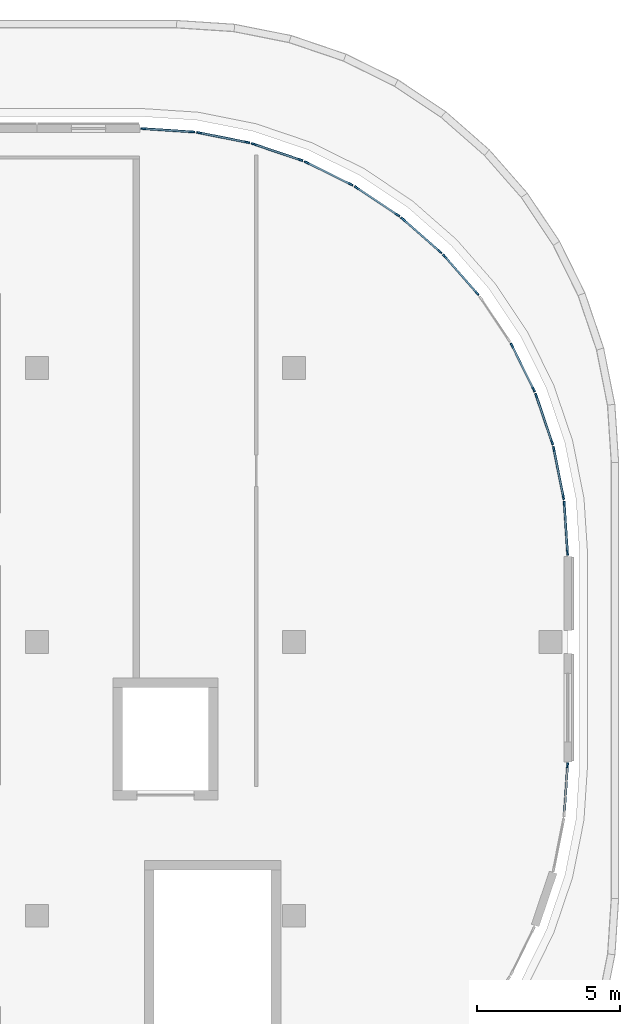
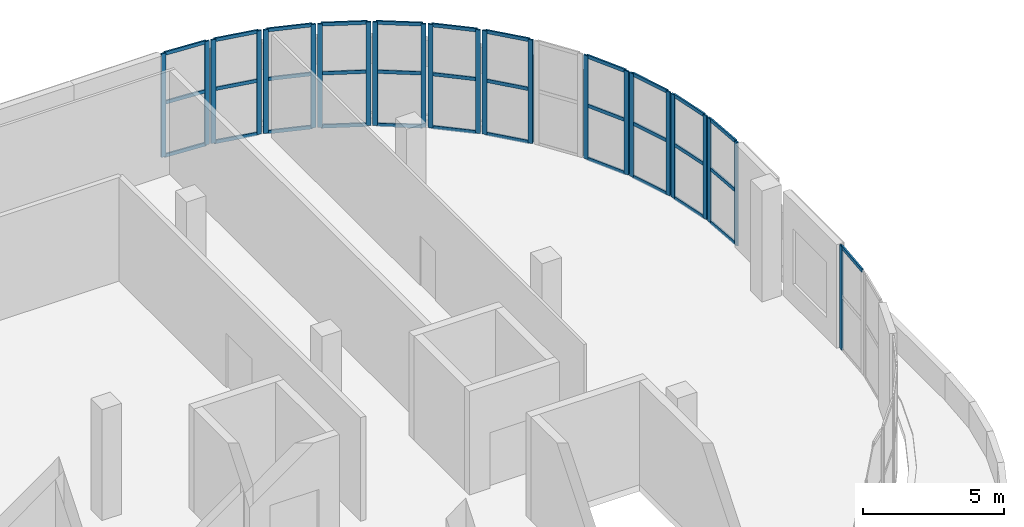
# One storey, part 15 of 33: 57 members, 12 elements without a shape of their own.
"""IFC4 building model written with IfcOpenShell, lengths in metres."""

import ifcopenshell
import ifcopenshell.guid

model = None  # the IFC model being written
_history = None  # IfcOwnerHistory: only IFC2X3 demands one
_inside = {}  # id of a spatial element -> (the spatial element, [elements in it])
_under = {}  # id of a project, library or spatial element -> (it, [spatial elements below it])
_declared = {}  # id of a project -> (the project, [libraries it declares])
_typed = {}  # id of a type object -> (the type object, [elements of that type])
_made_of = {}  # id of a material, layer set ... -> (it, [elements and type objects made of it])


def new_model(schema):
    """Start an empty IFC model of exactly this schema.

    Asked for "IFC4X3", IfcOpenShell would pick the latest addendum, in which some entities
    have other attributes; the version numbers below select the first issue.
    IFC2X3 requires an IfcOwnerHistory on every rooted entity: one is made here for all.
    """
    global model, _history
    if schema == "IFC4X3":
        model = ifcopenshell.file(schema_version=(4, 3, 0, 0))
    else:
        model = ifcopenshell.file(schema=schema)
    _inside.clear()
    _under.clear()
    _declared.clear()
    _typed.clear()
    _made_of.clear()
    _history = None
    if model.schema == "IFC2X3":
        org = make("IfcOrganization", Name="unknown")
        user = make(
            "IfcPersonAndOrganization",
            ThePerson=make("IfcPerson", FamilyName="unknown"),
            TheOrganization=org,
        )
        app = make(
            "IfcApplication",
            ApplicationDeveloper=org,
            Version="unknown",
            ApplicationFullName="unknown",
            ApplicationIdentifier="unknown",
        )
        _history = make(
            "IfcOwnerHistory",
            OwningUser=user,
            OwningApplication=app,
            ChangeAction="ADDED",
            CreationDate=0,
        )
    return model


def make(cls, **values):
    """One entity of the class cls with the attributes given. An attribute that is None is left unset."""
    return model.create_entity(
        cls, **{name: value for name, value in values.items() if value is not None}
    )


def rooted(cls, **values):
    """An entity with a GlobalId (a new one), such as an element, a storey or a relation."""
    return make(cls, GlobalId=ifcopenshell.guid.new(), OwnerHistory=_history, **values)


def si_unit(unit_type, name, prefix=None):
    """IfcSIUnit, for example si_unit("LENGTHUNIT", "METRE", prefix="MILLI")."""
    return make("IfcSIUnit", UnitType=unit_type, Prefix=prefix, Name=name)


def assignment(units):
    """IfcUnitAssignment: the units of a project."""
    return None if units is None else make("IfcUnitAssignment", Units=units)


def point(xyz):
    """IfcCartesianPoint."""
    return None if xyz is None else make("IfcCartesianPoint", Coordinates=xyz)


def direction(xyz):
    """IfcDirection."""
    return None if xyz is None else make("IfcDirection", DirectionRatios=xyz)


def frame(location, z_axis=None, x_axis=None):
    """IfcAxis2Placement3D, a coordinate frame: its origin and axes. An axis left out is left unset."""
    return make(
        "IfcAxis2Placement3D",
        Location=point(location),
        Axis=direction(z_axis),
        RefDirection=direction(x_axis),
    )


def frame_2d(location, x_axis=None):
    """IfcAxis2Placement2D, a coordinate frame in the plane: its origin and x axis."""
    return make(
        "IfcAxis2Placement2D", Location=point(location), RefDirection=direction(x_axis)
    )


def origin():
    """The frame at (0, 0, 0) with its axes left unset."""
    return frame((0.0, 0.0, 0.0))


def origin_2d():
    """The frame at (0, 0) in the plane with its x axis left unset."""
    return frame_2d((0.0, 0.0))


def place(relative_to, where):
    """IfcLocalPlacement: puts the frame where relative to a parent placement (None: the world)."""
    return make(
        "IfcLocalPlacement", PlacementRelTo=relative_to, RelativePlacement=where
    )


def context(
    kind, dimensions, precision=None, world=None, true_north=None, identifier=None
):
    """IfcGeometricRepresentationContext, for example the 3D "Model" context."""
    return make(
        "IfcGeometricRepresentationContext",
        ContextIdentifier=identifier,
        ContextType=kind,
        CoordinateSpaceDimension=dimensions,
        Precision=precision,
        WorldCoordinateSystem=world,
        TrueNorth=true_north,
    )


def subcontext(parent, identifier, kind, view, scale=None):
    """IfcGeometricRepresentationSubContext, for example "Body" below "Model"."""
    return make(
        "IfcGeometricRepresentationSubContext",
        ContextIdentifier=identifier,
        ContextType=kind,
        ParentContext=parent,
        TargetScale=scale,
        TargetView=view,
    )


def project(units=None, contexts=None):
    """IfcProject with its units and contexts."""
    return rooted(
        "IfcProject",
        Name="project",
        RepresentationContexts=contexts,
        UnitsInContext=assignment(units),
    )


def spatial(cls, under=None, at=None, **own):
    """A site, building, storey or space (cls), placed at a placement, below another one or the project."""
    s = rooted(cls, ObjectPlacement=at, **own)
    if under is not None:
        _under.setdefault(under.id(), (under, []))[1].append(s)
    return s


def profile(cls, at=None, kind="AREA", **sizes):
    """A parametric profile (cls). Its sizes go by their IFC names, for example OverallWidth=200.0."""
    return make(cls, ProfileType=kind, Position=at, **sizes)


def rectangle(**sizes):
    """IfcRectangleProfileDef."""
    return profile("IfcRectangleProfileDef", **sizes)


def extrude(swept, where, along, depth):
    """IfcExtrudedAreaSolid: the profile swept, set in the frame where, extruded along a direction by depth."""
    return make(
        "IfcExtrudedAreaSolid",
        SweptArea=swept,
        Position=where,
        ExtrudedDirection=direction(along),
        Depth=depth,
    )


def shape(context_of_items, identifier, shape_type, items):
    """IfcShapeRepresentation: the items that make up one representation, for example the "Body"."""
    return make(
        "IfcShapeRepresentation",
        ContextOfItems=context_of_items,
        RepresentationIdentifier=identifier,
        RepresentationType=shape_type,
        Items=items,
    )


def material(Name=None, Category=None):
    """IfcMaterial."""
    return make("IfcMaterial", Name=Name, Category=Category)


def layer(
    of_material, thickness, ventilated=None, Name=None, Category=None, Priority=None
):
    """IfcMaterialLayer: one layer of a wall or slab, of a material (None: an air gap)."""
    return make(
        "IfcMaterialLayer",
        Material=of_material,
        LayerThickness=thickness,
        IsVentilated=ventilated,
        Name=Name,
        Category=Category,
        Priority=Priority,
    )


def layer_set(layers, Name=None):
    """IfcMaterialLayerSet."""
    return make("IfcMaterialLayerSet", MaterialLayers=layers, LayerSetName=Name)


def material_profile(
    of_material, cross_section, Name=None, Category=None, Priority=None
):
    """IfcMaterialProfile: a cross section and its material."""
    return make(
        "IfcMaterialProfile",
        Name=Name,
        Material=of_material,
        Profile=cross_section,
        Priority=Priority,
        Category=Category,
    )


def profile_set(profiles, Name=None, composite=None):
    """IfcMaterialProfileSet."""
    return make(
        "IfcMaterialProfileSet",
        Name=Name,
        MaterialProfiles=profiles,
        CompositeProfile=composite,
    )


def made_of(thing, what):
    """Note that an element or type object is made of a material, layer set ...; save() writes the relation."""
    if what is not None:
        _made_of.setdefault(what.id(), (what, []))[1].append(thing)
    return thing


def type_object(cls, material=None, **own):
    """A type object (cls), such as IfcWallType, which elements share."""
    return made_of(rooted(cls, **own), material)


def element(
    cls,
    number,
    at=None,
    inside=None,
    cuts=None,
    type_object=None,
    material=None,
    context=None,
    identifier="Body",
    shape_type=None,
    held_by="IfcProductDefinitionShape",
    body=None,
    shapes=None,
    **own,
):
    """One element of the class cls, such as IfcWall. Its Tag is "e" and its number.

    at: its placement. inside: the storey or other place that contains it. cuts: it is an
    opening in that element (IfcRelVoidsElement). A single representation is given by context,
    identifier, shape_type and body (its items); several are given by shapes. held_by: the class
    of the entity that holds the representations. save() writes the other relations.
    """
    e = rooted(cls, Tag="e%d" % number, ObjectPlacement=at, **own)
    if body is not None:
        shapes = [shape(context, identifier, shape_type, body)]
    if shapes is not None:
        e.Representation = make(held_by, Representations=shapes)
    if inside is not None:
        _inside.setdefault(inside.id(), (inside, []))[1].append(e)
    if cuts is not None:
        rooted(
            "IfcRelVoidsElement", RelatingBuildingElement=cuts, RelatedOpeningElement=e
        )
    if type_object is not None:
        _typed.setdefault(type_object.id(), (type_object, []))[1].append(e)
    return made_of(e, material)


def aggregate(whole, parts):
    """IfcRelAggregates: a whole, such as a stair, and the parts it consists of."""
    return rooted("IfcRelAggregates", RelatingObject=whole, RelatedObjects=parts)


def save(model, path):
    """Write the relations noted so far, then the file.

    IfcRelAggregates (storeys below a building ...), IfcRelContainedInSpatialStructure (elements
    in a storey), IfcRelDefinesByType, IfcRelAssociatesMaterial and IfcRelDeclares: one each for
    every whole, place, type object, material and project.
    """
    for whole, parts in _under.values():
        aggregate(whole, parts)
    for where, things in _inside.values():
        rooted(
            "IfcRelContainedInSpatialStructure",
            RelatedElements=things,
            RelatingStructure=where,
        )
    for kind, things in _typed.values():
        rooted("IfcRelDefinesByType", RelatedObjects=things, RelatingType=kind)
    for what, things in _made_of.values():
        rooted("IfcRelAssociatesMaterial", RelatedObjects=things, RelatingMaterial=what)
    for by, libraries in _declared.values():
        rooted("IfcRelDeclares", RelatingContext=by, RelatedDefinitions=libraries)
    model.write(path)


model = new_model("IFC4")

# Units and contexts
model_context = context("Model", 3, precision=1e-05, world=origin(), true_north=direction((0.0, 1.0)))
body_context = subcontext(model_context, "Body", "Model", "MODEL_VIEW")
ifc_project = project(units=[si_unit("LENGTHUNIT", "METRE"), si_unit("AREAUNIT", "SQUARE_METRE"), si_unit("VOLUMEUNIT", "CUBIC_METRE"), si_unit("PLANEANGLEUNIT", "RADIAN"), si_unit("MASSUNIT", "GRAM", prefix="KILO")], contexts=[model_context])

# Site, building, storey
site_placement = place(None, origin())
site = spatial("IfcSite", under=ifc_project, at=site_placement, CompositionType="ELEMENT")
building_placement = place(site_placement, origin())
building = spatial("IfcBuilding", under=site, at=building_placement, Name="Cendralis Terraced Arcade", CompositionType="ELEMENT")
storey_placement = place(building_placement, frame((0.0, 0.0, 19.800048828125)))
storey = spatial("IfcBuildingStorey", under=building, at=storey_placement, Name="L04", CompositionType="ELEMENT", Elevation=19.800048828125)

# Curtain wall, members
ifc_material = material(Name="Anodised aluminium EN AW-6063 T6", Category="aluminium")
ifc_layer = layer(ifc_material, 0.179931640625, Name="CW-UNIT-A")
ifc_layer_set = layer_set([ifc_layer], Name="Anodised aluminium EN AW-6063 T6")
curtain_wall_type = type_object("IfcCurtainWallType", Name="CW-UNIT-A", PredefinedType="USERDEFINED", material=ifc_layer_set)
curtain_wall_1_placement = place(storey_placement, origin())
curtain_wall_1 = element("IfcCurtainWall", 1, at=curtain_wall_1_placement, inside=storey, type_object=curtain_wall_type, Name="Exterior Unitised Facade CW-L04-0314", ObjectType="UNITISED FACADE", PredefinedType="USERDEFINED")
ifc_material_profile_1 = material_profile(ifc_material, rectangle(XDim=0.06494140625, YDim=0.179931640625, at=origin_2d()), Name="ALU-MUL-65x180")
ifc_profile_set_1 = profile_set([ifc_material_profile_1], Name="Anodised aluminium EN AW-6063 T6")
member_type_1 = type_object("IfcMemberType", Name="CW-UNIT-A-MUL", PredefinedType="MULLION", material=ifc_profile_set_1)
member_1_placement = place(storey_placement, frame((151.922119140625, 106.7919921875, 0.0), z_axis=(0.0, 0.0, 1.0), x_axis=(0.065371873798, 0.997860971336, 0.0)))
member_1 = element("IfcMember", 2, at=member_1_placement, type_object=member_type_1, Name="CW-U1 mullion 1", PredefinedType="MULLION", context=body_context, shape_type="SweptSolid", body=[
    extrude(rectangle(XDim=0.06494140625, YDim=0.179931640625, at=origin_2d()), origin(), (0.0, 0.0, 1.0), 4.47998046875),
])
member_2_placement = place(storey_placement, frame((153.6357421875, 106.6796875, 0.0), z_axis=(0.0, 0.0, 1.0), x_axis=(0.065371873798, 0.997860971336, 0.0)))
member_2 = element("IfcMember", 3, at=member_2_placement, type_object=member_type_1, Name="CW-U1 mullion 2", PredefinedType="MULLION", context=body_context, shape_type="SweptSolid", body=[
    extrude(rectangle(XDim=0.06494140625, YDim=0.179931640625, at=origin_2d()), origin(), (0.0, 0.0, 1.0), 4.47998046875),
])

curtain_wall_2_placement = place(storey_placement, origin())
curtain_wall_2 = element("IfcCurtainWall", 4, at=curtain_wall_2_placement, inside=storey, type_object=curtain_wall_type, Name="Exterior Unitised Facade CW-L04-0315", ObjectType="UNITISED FACADE", PredefinedType="USERDEFINED")
member_3_placement = place(storey_placement, frame((153.878173828125, 106.647705078125, 0.0), z_axis=(0.0, 0.0, 1.0), x_axis=(0.195058454434, 0.980791618721, 0.0)))
member_3 = element("IfcMember", 5, at=member_3_placement, type_object=member_type_1, Name="CW-U1 mullion 1", PredefinedType="MULLION", context=body_context, shape_type="SweptSolid", body=[
    extrude(rectangle(XDim=0.06494140625, YDim=0.179931640625, at=origin_2d()), origin(), (0.0, 0.0, 1.0), 4.47998046875),
])
member_4_placement = place(storey_placement, frame((155.56201171875, 106.312744140625, 0.0), z_axis=(0.0, 0.0, 1.0), x_axis=(0.195058454434, 0.980791618721, 0.0)))
member_4 = element("IfcMember", 6, at=member_4_placement, type_object=member_type_1, Name="CW-U1 mullion 2", PredefinedType="MULLION", context=body_context, shape_type="SweptSolid", body=[
    extrude(rectangle(XDim=0.06494140625, YDim=0.179931640625, at=origin_2d()), origin(), (0.0, 0.0, 1.0), 4.47998046875),
])

curtain_wall_3_placement = place(storey_placement, origin())
curtain_wall_3 = element("IfcCurtainWall", 7, at=curtain_wall_3_placement, inside=storey, type_object=curtain_wall_type, Name="Exterior Unitised Facade CW-L04-0316", ObjectType="UNITISED FACADE", PredefinedType="USERDEFINED")
member_5_placement = place(storey_placement, frame((155.79833984375, 106.24951171875, 0.0), z_axis=(0.0, 0.0, 1.0), x_axis=(0.321458077458, 0.946923811316, 0.0)))
member_5 = element("IfcMember", 8, at=member_5_placement, type_object=member_type_1, Name="CW-U1 mullion 1", PredefinedType="MULLION", context=body_context, shape_type="SweptSolid", body=[
    extrude(rectangle(XDim=0.06494140625, YDim=0.179931640625, at=origin_2d()), origin(), (0.0, 0.0, 1.0), 4.47998046875),
])
member_6_placement = place(storey_placement, frame((157.42431640625, 105.697509765625, 0.0), z_axis=(0.0, 0.0, 1.0), x_axis=(0.321458077458, 0.946923811316, 0.0)))
member_6 = element("IfcMember", 9, at=member_6_placement, type_object=member_type_1, Name="CW-U1 mullion 2", PredefinedType="MULLION", context=body_context, shape_type="SweptSolid", body=[
    extrude(rectangle(XDim=0.06494140625, YDim=0.179931640625, at=origin_2d()), origin(), (0.0, 0.0, 1.0), 4.47998046875),
])

curtain_wall_4_placement = place(storey_placement, origin())
curtain_wall_4 = element("IfcCurtainWall", 10, at=curtain_wall_4_placement, inside=storey, type_object=curtain_wall_type, Name="Exterior Unitised Facade CW-L04-0317", ObjectType="UNITISED FACADE", PredefinedType="USERDEFINED")
member_7_placement = place(storey_placement, frame((157.650146484375, 105.60400390625, 0.0), z_axis=(0.0, 0.0, 1.0), x_axis=(0.442291247495, 0.896871480419, 0.0)))
member_7 = element("IfcMember", 11, at=member_7_placement, type_object=member_type_1, Name="CW-U1 mullion 1", PredefinedType="MULLION", context=body_context, shape_type="SweptSolid", body=[
    extrude(rectangle(XDim=0.06494140625, YDim=0.179931640625, at=origin_2d()), origin(), (0.0, 0.0, 1.0), 4.47998046875),
])
member_8_placement = place(storey_placement, frame((159.190185546875, 104.844482421875, 0.0), z_axis=(0.0, 0.0, 1.0), x_axis=(0.442291247495, 0.896871480419, 0.0)))
member_8 = element("IfcMember", 12, at=member_8_placement, type_object=member_type_1, Name="CW-U1 mullion 2", PredefinedType="MULLION", context=body_context, shape_type="SweptSolid", body=[
    extrude(rectangle(XDim=0.06494140625, YDim=0.179931640625, at=origin_2d()), origin(), (0.0, 0.0, 1.0), 4.47998046875),
])

curtain_wall_5_placement = place(storey_placement, origin())
curtain_wall_5 = element("IfcCurtainWall", 13, at=curtain_wall_5_placement, inside=storey, type_object=curtain_wall_type, Name="Exterior Unitised Facade CW-L04-0318", ObjectType="UNITISED FACADE", PredefinedType="USERDEFINED")
member_9_placement = place(storey_placement, frame((159.40185546875, 104.722412109375, 0.0), z_axis=(0.0, 0.0, 1.0), x_axis=(0.555567476528, 0.831471454125, 0.0)))
member_9 = element("IfcMember", 14, at=member_9_placement, type_object=member_type_1, Name="CW-U1 mullion 1", PredefinedType="MULLION", context=body_context, shape_type="SweptSolid", body=[
    extrude(rectangle(XDim=0.06494140625, YDim=0.179931640625, at=origin_2d()), origin(), (0.0, 0.0, 1.0), 4.47998046875),
])
member_10_placement = place(storey_placement, frame((160.82958984375, 103.768310546875, 0.0), z_axis=(0.0, 0.0, 1.0), x_axis=(0.555567476528, 0.831471454125, 0.0)))
member_10 = element("IfcMember", 15, at=member_10_placement, type_object=member_type_1, Name="CW-U1 mullion 2", PredefinedType="MULLION", context=body_context, shape_type="SweptSolid", body=[
    extrude(rectangle(XDim=0.06494140625, YDim=0.179931640625, at=origin_2d()), origin(), (0.0, 0.0, 1.0), 4.47998046875),
])

curtain_wall_6_placement = place(storey_placement, origin())
curtain_wall_6 = element("IfcCurtainWall", 16, at=curtain_wall_6_placement, inside=storey, type_object=curtain_wall_type, Name="Exterior Unitised Facade CW-L04-0319", ObjectType="UNITISED FACADE", PredefinedType="USERDEFINED")
member_11_placement = place(storey_placement, frame((161.0234375, 103.61962890625, 0.0), z_axis=(0.0, 0.0, 1.0), x_axis=(0.659386076266, 0.751804497477, 0.0)))
member_11 = element("IfcMember", 17, at=member_11_placement, type_object=member_type_1, Name="CW-U1 mullion 1", PredefinedType="MULLION", context=body_context, shape_type="SweptSolid", body=[
    extrude(rectangle(XDim=0.06494140625, YDim=0.179931640625, at=origin_2d()), origin(), (0.0, 0.0, 1.0), 4.47998046875),
])
member_12_placement = place(storey_placement, frame((162.314453125, 102.4873046875, 0.0), z_axis=(0.0, 0.0, 1.0), x_axis=(0.659386076266, 0.751804497477, 0.0)))
member_12 = element("IfcMember", 18, at=member_12_placement, type_object=member_type_1, Name="CW-U1 mullion 2", PredefinedType="MULLION", context=body_context, shape_type="SweptSolid", body=[
    extrude(rectangle(XDim=0.06494140625, YDim=0.179931640625, at=origin_2d()), origin(), (0.0, 0.0, 1.0), 4.47998046875),
])

curtain_wall_7_placement = place(storey_placement, origin())
curtain_wall_7 = element("IfcCurtainWall", 19, at=curtain_wall_7_placement, inside=storey, type_object=curtain_wall_type, Name="Exterior Unitised Facade CW-L04-0320", ObjectType="UNITISED FACADE", PredefinedType="USERDEFINED")
member_13_placement = place(storey_placement, frame((162.4873046875, 102.314453125, 0.0), z_axis=(0.0, 0.0, 1.0), x_axis=(0.751804497477, 0.659386076266, 0.0)))
member_13 = element("IfcMember", 20, at=member_13_placement, type_object=member_type_1, Name="CW-U1 mullion 1", PredefinedType="MULLION", context=body_context, shape_type="SweptSolid", body=[
    extrude(rectangle(XDim=0.06494140625, YDim=0.179931640625, at=origin_2d()), origin(), (0.0, 0.0, 1.0), 4.47998046875),
])
member_14_placement = place(storey_placement, frame((163.61962890625, 101.0234375, 0.0), z_axis=(0.0, 0.0, 1.0), x_axis=(0.751804497477, 0.659386076266, 0.0)))
member_14 = element("IfcMember", 21, at=member_14_placement, type_object=member_type_1, Name="CW-U1 mullion 2", PredefinedType="MULLION", context=body_context, shape_type="SweptSolid", body=[
    extrude(rectangle(XDim=0.06494140625, YDim=0.179931640625, at=origin_2d()), origin(), (0.0, 0.0, 1.0), 4.47998046875),
])

curtain_wall_8_placement = place(storey_placement, origin())
curtain_wall_8 = element("IfcCurtainWall", 22, at=curtain_wall_8_placement, inside=storey, type_object=curtain_wall_type, Name="Exterior Unitised Facade CW-L04-0322", ObjectType="UNITISED FACADE", PredefinedType="USERDEFINED")
member_15_placement = place(storey_placement, frame((164.844482421875, 99.190185546875, 0.0), z_axis=(0.0, 0.0, 1.0), x_axis=(0.896871480419, 0.442291247495, 0.0)))
member_15 = element("IfcMember", 23, at=member_15_placement, type_object=member_type_1, Name="CW-U1 mullion 1", PredefinedType="MULLION", context=body_context, shape_type="SweptSolid", body=[
    extrude(rectangle(XDim=0.06494140625, YDim=0.179931640625, at=origin_2d()), origin(), (0.0, 0.0, 1.0), 4.47998046875),
])
member_16_placement = place(storey_placement, frame((165.60400390625, 97.650146484375, 0.0), z_axis=(0.0, 0.0, 1.0), x_axis=(0.896871480419, 0.442291247495, 0.0)))
member_16 = element("IfcMember", 24, at=member_16_placement, type_object=member_type_1, Name="CW-U1 mullion 2", PredefinedType="MULLION", context=body_context, shape_type="SweptSolid", body=[
    extrude(rectangle(XDim=0.06494140625, YDim=0.179931640625, at=origin_2d()), origin(), (0.0, 0.0, 1.0), 4.47998046875),
])

curtain_wall_9_placement = place(storey_placement, origin())
curtain_wall_9 = element("IfcCurtainWall", 25, at=curtain_wall_9_placement, inside=storey, type_object=curtain_wall_type, Name="Exterior Unitised Facade CW-L04-0323", ObjectType="UNITISED FACADE", PredefinedType="USERDEFINED")
member_17_placement = place(storey_placement, frame((165.697509765625, 97.42431640625, 0.0), z_axis=(0.0, 0.0, 1.0), x_axis=(0.946923811316, 0.321458077458, 0.0)))
member_17 = element("IfcMember", 26, at=member_17_placement, type_object=member_type_1, Name="CW-U1 mullion 1", PredefinedType="MULLION", context=body_context, shape_type="SweptSolid", body=[
    extrude(rectangle(XDim=0.06494140625, YDim=0.179931640625, at=origin_2d()), origin(), (0.0, 0.0, 1.0), 4.47998046875),
])
member_18_placement = place(storey_placement, frame((166.24951171875, 95.79833984375, 0.0), z_axis=(0.0, 0.0, 1.0), x_axis=(0.946923811316, 0.321458077458, 0.0)))
member_18 = element("IfcMember", 27, at=member_18_placement, type_object=member_type_1, Name="CW-U1 mullion 2", PredefinedType="MULLION", context=body_context, shape_type="SweptSolid", body=[
    extrude(rectangle(XDim=0.06494140625, YDim=0.179931640625, at=origin_2d()), origin(), (0.0, 0.0, 1.0), 4.47998046875),
])

curtain_wall_10_placement = place(storey_placement, origin())
curtain_wall_10 = element("IfcCurtainWall", 28, at=curtain_wall_10_placement, inside=storey, type_object=curtain_wall_type, Name="Exterior Unitised Facade CW-L04-0324", ObjectType="UNITISED FACADE", PredefinedType="USERDEFINED")
member_19_placement = place(storey_placement, frame((166.312744140625, 95.56201171875, 0.0), z_axis=(0.0, 0.0, 1.0), x_axis=(0.980791618721, 0.195058454434, 0.0)))
member_19 = element("IfcMember", 29, at=member_19_placement, type_object=member_type_1, Name="CW-U1 mullion 1", PredefinedType="MULLION", context=body_context, shape_type="SweptSolid", body=[
    extrude(rectangle(XDim=0.06494140625, YDim=0.179931640625, at=origin_2d()), origin(), (0.0, 0.0, 1.0), 4.47998046875),
])
member_20_placement = place(storey_placement, frame((166.647705078125, 93.878173828125, 0.0), z_axis=(0.0, 0.0, 1.0), x_axis=(0.980791618721, 0.195058454434, 0.0)))
member_20 = element("IfcMember", 30, at=member_20_placement, type_object=member_type_1, Name="CW-U1 mullion 2", PredefinedType="MULLION", context=body_context, shape_type="SweptSolid", body=[
    extrude(rectangle(XDim=0.06494140625, YDim=0.179931640625, at=origin_2d()), origin(), (0.0, 0.0, 1.0), 4.47998046875),
])

curtain_wall_11_placement = place(storey_placement, origin())
curtain_wall_11 = element("IfcCurtainWall", 31, at=curtain_wall_11_placement, inside=storey, type_object=curtain_wall_type, Name="Exterior Unitised Facade CW-L04-0325", ObjectType="UNITISED FACADE", PredefinedType="USERDEFINED")
member_21_placement = place(storey_placement, frame((166.6796875, 93.6357421875, 0.0), z_axis=(0.0, 0.0, 1.0), x_axis=(0.997860971336, 0.065371873798, 0.0)))
member_21 = element("IfcMember", 32, at=member_21_placement, type_object=member_type_1, Name="CW-U1 mullion 1", PredefinedType="MULLION", context=body_context, shape_type="SweptSolid", body=[
    extrude(rectangle(XDim=0.06494140625, YDim=0.179931640625, at=origin_2d()), origin(), (0.0, 0.0, 1.0), 4.47998046875),
])
member_22_placement = place(storey_placement, frame((166.7919921875, 91.922119140625, 0.0), z_axis=(0.0, 0.0, 1.0), x_axis=(0.997860971336, 0.065371873798, 0.0)))
member_22 = element("IfcMember", 33, at=member_22_placement, type_object=member_type_1, Name="CW-U1 mullion 2", PredefinedType="MULLION", context=body_context, shape_type="SweptSolid", body=[
    extrude(rectangle(XDim=0.06494140625, YDim=0.179931640625, at=origin_2d()), origin(), (0.0, 0.0, 1.0), 4.47998046875),
])

# Curtain wall, member
curtain_wall_12_placement = place(storey_placement, origin())
curtain_wall_12 = element("IfcCurtainWall", 34, at=curtain_wall_12_placement, inside=storey, type_object=curtain_wall_type, Name="Exterior Unitised Facade CW-L04-0326", ObjectType="UNITISED FACADE", PredefinedType="USERDEFINED")
member_23_placement = place(storey_placement, frame((166.7919921875, 84.477783203125, 0.0), z_axis=(0.0, 0.0, 1.0), x_axis=(0.997860971336, -0.065371873798, 0.0)))
member_23 = element("IfcMember", 35, at=member_23_placement, type_object=member_type_1, Name="CW-U1 mullion 1", PredefinedType="MULLION", context=body_context, shape_type="SweptSolid", body=[
    extrude(rectangle(XDim=0.06494140625, YDim=0.179931640625, at=origin_2d()), origin(), (0.0, 0.0, 1.0), 4.47998046875),
])

# Member
ifc_material_profile_2 = material_profile(ifc_material, rectangle(XDim=0.06494140625, YDim=0.14990234375, at=origin_2d()), Name="ALU-TRN-65x150")
ifc_profile_set_2 = profile_set([ifc_material_profile_2], Name="Anodised aluminium EN AW-6063 T6")
member_type_2 = type_object("IfcMemberType", Name="CW-UNIT-A-TRN", PredefinedType="USERDEFINED", material=ifc_profile_set_2)
member_24_placement = place(storey_placement, frame((151.95458984375, 106.789794921875, 0.032470703125), z_axis=(0.997864850039, -0.065312640858, 0.0), x_axis=(0.065312640858, 0.997864850039, 0.0)))
member_24 = element("IfcMember", 36, at=member_24_placement, type_object=member_type_2, Name="CW-U1 transom 1.1", ObjectType="TRANSOM", PredefinedType="USERDEFINED", context=body_context, shape_type="SweptSolid", body=[
    extrude(rectangle(XDim=0.06494140625, YDim=0.14990234375, at=origin_2d()), origin(), (0.0, 0.0, 1.0), 1.652099609375),
])

member_25_placement = place(storey_placement, frame((151.95458984375, 106.789794921875, 2.32958984375), z_axis=(0.997864850039, -0.065312640858, 0.0), x_axis=(0.065312640858, 0.997864850039, 0.0)))
member_25 = element("IfcMember", 37, at=member_25_placement, type_object=member_type_2, Name="CW-U1 transom 1.2", ObjectType="TRANSOM", PredefinedType="USERDEFINED", context=body_context, shape_type="SweptSolid", body=[
    extrude(rectangle(XDim=0.06494140625, YDim=0.14990234375, at=origin_2d()), origin(), (0.0, 0.0, 1.0), 1.652099609375),
])

member_26_placement = place(storey_placement, frame((151.95458984375, 106.789794921875, 4.447509765625), z_axis=(0.997864850039, -0.065312640858, 0.0), x_axis=(0.065312640858, 0.997864850039, 0.0)))
member_26 = element("IfcMember", 38, at=member_26_placement, type_object=member_type_2, Name="CW-U1 transom 1.3", ObjectType="TRANSOM", PredefinedType="USERDEFINED", context=body_context, shape_type="SweptSolid", body=[
    extrude(rectangle(XDim=0.06494140625, YDim=0.14990234375, at=origin_2d()), origin(), (0.0, 0.0, 1.0), 1.652099609375),
])

aggregate(curtain_wall_1, [member_1, member_2, member_24, member_25, member_26])

member_27_placement = place(storey_placement, frame((153.909912109375, 106.641357421875, 0.032470703125), z_axis=(0.980790408784, -0.195064538134, 0.0), x_axis=(0.195064538134, 0.980790408784, 0.0)))
member_27 = element("IfcMember", 39, at=member_27_placement, type_object=member_type_2, Name="CW-U1 transom 1.1", ObjectType="TRANSOM", PredefinedType="USERDEFINED", context=body_context, shape_type="SweptSolid", body=[
    extrude(rectangle(XDim=0.06494140625, YDim=0.14990234375, at=origin_2d()), origin(), (0.0, 0.0, 1.0), 1.652099609375),
])

member_28_placement = place(storey_placement, frame((153.909912109375, 106.641357421875, 2.32958984375), z_axis=(0.980790408784, -0.195064538134, 0.0), x_axis=(0.195064538134, 0.980790408784, 0.0)))
member_28 = element("IfcMember", 40, at=member_28_placement, type_object=member_type_2, Name="CW-U1 transom 1.2", ObjectType="TRANSOM", PredefinedType="USERDEFINED", context=body_context, shape_type="SweptSolid", body=[
    extrude(rectangle(XDim=0.06494140625, YDim=0.14990234375, at=origin_2d()), origin(), (0.0, 0.0, 1.0), 1.652099609375),
])

member_29_placement = place(storey_placement, frame((153.909912109375, 106.641357421875, 4.447509765625), z_axis=(0.980790408784, -0.195064538134, 0.0), x_axis=(0.195064538134, 0.980790408784, 0.0)))
member_29 = element("IfcMember", 41, at=member_29_placement, type_object=member_type_2, Name="CW-U1 transom 1.3", ObjectType="TRANSOM", PredefinedType="USERDEFINED", context=body_context, shape_type="SweptSolid", body=[
    extrude(rectangle(XDim=0.06494140625, YDim=0.14990234375, at=origin_2d()), origin(), (0.0, 0.0, 1.0), 1.652099609375),
])

aggregate(curtain_wall_2, [member_3, member_4, member_27, member_28, member_29])

member_30_placement = place(storey_placement, frame((155.8291015625, 106.239013671875, 0.032470703125), z_axis=(0.94694015461, -0.321409930755, 0.0), x_axis=(0.321409930755, 0.94694015461, 0.0)))
member_30 = element("IfcMember", 42, at=member_30_placement, type_object=member_type_2, Name="CW-U1 transom 1.1", ObjectType="TRANSOM", PredefinedType="USERDEFINED", context=body_context, shape_type="SweptSolid", body=[
    extrude(rectangle(XDim=0.06494140625, YDim=0.14990234375, at=origin_2d()), origin(), (0.0, 0.0, 1.0), 1.652099609375),
])

member_31_placement = place(storey_placement, frame((155.8291015625, 106.239013671875, 2.32958984375), z_axis=(0.94694015461, -0.321409930755, 0.0), x_axis=(0.321409930755, 0.94694015461, 0.0)))
member_31 = element("IfcMember", 43, at=member_31_placement, type_object=member_type_2, Name="CW-U1 transom 1.2", ObjectType="TRANSOM", PredefinedType="USERDEFINED", context=body_context, shape_type="SweptSolid", body=[
    extrude(rectangle(XDim=0.06494140625, YDim=0.14990234375, at=origin_2d()), origin(), (0.0, 0.0, 1.0), 1.652099609375),
])

member_32_placement = place(storey_placement, frame((155.8291015625, 106.239013671875, 4.447509765625), z_axis=(0.94694015461, -0.321409930755, 0.0), x_axis=(0.321409930755, 0.94694015461, 0.0)))
member_32 = element("IfcMember", 44, at=member_32_placement, type_object=member_type_2, Name="CW-U1 transom 1.3", ObjectType="TRANSOM", PredefinedType="USERDEFINED", context=body_context, shape_type="SweptSolid", body=[
    extrude(rectangle(XDim=0.06494140625, YDim=0.14990234375, at=origin_2d()), origin(), (0.0, 0.0, 1.0), 1.652099609375),
])

aggregate(curtain_wall_3, [member_5, member_6, member_30, member_31, member_32])

member_33_placement = place(storey_placement, frame((157.67919921875, 105.589599609375, 0.032470703125), z_axis=(0.896866855431, -0.442300625853, 0.0), x_axis=(0.442300625853, 0.896866855431, 0.0)))
member_33 = element("IfcMember", 45, at=member_33_placement, type_object=member_type_2, Name="CW-U1 transom 1.1", ObjectType="TRANSOM", PredefinedType="USERDEFINED", context=body_context, shape_type="SweptSolid", body=[
    extrude(rectangle(XDim=0.06494140625, YDim=0.14990234375, at=origin_2d()), origin(), (0.0, 0.0, 1.0), 1.652099609375),
])

member_34_placement = place(storey_placement, frame((157.67919921875, 105.589599609375, 2.32958984375), z_axis=(0.896866855431, -0.442300625853, 0.0), x_axis=(0.442300625853, 0.896866855431, 0.0)))
member_34 = element("IfcMember", 46, at=member_34_placement, type_object=member_type_2, Name="CW-U1 transom 1.2", ObjectType="TRANSOM", PredefinedType="USERDEFINED", context=body_context, shape_type="SweptSolid", body=[
    extrude(rectangle(XDim=0.06494140625, YDim=0.14990234375, at=origin_2d()), origin(), (0.0, 0.0, 1.0), 1.652099609375),
])

member_35_placement = place(storey_placement, frame((157.67919921875, 105.589599609375, 4.447509765625), z_axis=(0.896866855431, -0.442300625853, 0.0), x_axis=(0.442300625853, 0.896866855431, 0.0)))
member_35 = element("IfcMember", 47, at=member_35_placement, type_object=member_type_2, Name="CW-U1 transom 1.3", ObjectType="TRANSOM", PredefinedType="USERDEFINED", context=body_context, shape_type="SweptSolid", body=[
    extrude(rectangle(XDim=0.06494140625, YDim=0.14990234375, at=origin_2d()), origin(), (0.0, 0.0, 1.0), 1.652099609375),
])

aggregate(curtain_wall_4, [member_7, member_8, member_33, member_34, member_35])

member_36_placement = place(storey_placement, frame((159.428955078125, 104.704345703125, 0.032470703125), z_axis=(0.831413153436, -0.555654720391, 0.0), x_axis=(0.555654720391, 0.831413153436, 0.0)))
member_36 = element("IfcMember", 48, at=member_36_placement, type_object=member_type_2, Name="CW-U1 transom 1.1", ObjectType="TRANSOM", PredefinedType="USERDEFINED", context=body_context, shape_type="SweptSolid", body=[
    extrude(rectangle(XDim=0.06494140625, YDim=0.14990234375, at=origin_2d()), origin(), (0.0, 0.0, 1.0), 1.652099609375),
])

member_37_placement = place(storey_placement, frame((159.428955078125, 104.704345703125, 2.32958984375), z_axis=(0.831413153436, -0.555654720391, 0.0), x_axis=(0.555654720391, 0.831413153436, 0.0)))
member_37 = element("IfcMember", 49, at=member_37_placement, type_object=member_type_2, Name="CW-U1 transom 1.2", ObjectType="TRANSOM", PredefinedType="USERDEFINED", context=body_context, shape_type="SweptSolid", body=[
    extrude(rectangle(XDim=0.06494140625, YDim=0.14990234375, at=origin_2d()), origin(), (0.0, 0.0, 1.0), 1.652099609375),
])

member_38_placement = place(storey_placement, frame((159.428955078125, 104.704345703125, 4.447509765625), z_axis=(0.831413153436, -0.555654720391, 0.0), x_axis=(0.555654720391, 0.831413153436, 0.0)))
member_38 = element("IfcMember", 50, at=member_38_placement, type_object=member_type_2, Name="CW-U1 transom 1.3", ObjectType="TRANSOM", PredefinedType="USERDEFINED", context=body_context, shape_type="SweptSolid", body=[
    extrude(rectangle(XDim=0.06494140625, YDim=0.14990234375, at=origin_2d()), origin(), (0.0, 0.0, 1.0), 1.652099609375),
])

aggregate(curtain_wall_5, [member_9, member_10, member_36, member_37, member_38])

member_39_placement = place(storey_placement, frame((161.0478515625, 103.59814453125, 0.032470703125), z_axis=(0.751843927425, -0.659341117172, 0.0), x_axis=(0.659341117172, 0.751843927425, 0.0)))
member_39 = element("IfcMember", 51, at=member_39_placement, type_object=member_type_2, Name="CW-U1 transom 1.1", ObjectType="TRANSOM", PredefinedType="USERDEFINED", context=body_context, shape_type="SweptSolid", body=[
    extrude(rectangle(XDim=0.06494140625, YDim=0.14990234375, at=origin_2d()), origin(), (0.0, 0.0, 1.0), 1.652099609375),
])

member_40_placement = place(storey_placement, frame((161.0478515625, 103.59814453125, 2.32958984375), z_axis=(0.751843927425, -0.659341117172, 0.0), x_axis=(0.659341117172, 0.751843927425, 0.0)))
member_40 = element("IfcMember", 52, at=member_40_placement, type_object=member_type_2, Name="CW-U1 transom 1.2", ObjectType="TRANSOM", PredefinedType="USERDEFINED", context=body_context, shape_type="SweptSolid", body=[
    extrude(rectangle(XDim=0.06494140625, YDim=0.14990234375, at=origin_2d()), origin(), (0.0, 0.0, 1.0), 1.652099609375),
])

member_41_placement = place(storey_placement, frame((161.0478515625, 103.59814453125, 4.447509765625), z_axis=(0.751843927425, -0.659341117172, 0.0), x_axis=(0.659341117172, 0.751843927425, 0.0)))
member_41 = element("IfcMember", 53, at=member_41_placement, type_object=member_type_2, Name="CW-U1 transom 1.3", ObjectType="TRANSOM", PredefinedType="USERDEFINED", context=body_context, shape_type="SweptSolid", body=[
    extrude(rectangle(XDim=0.06494140625, YDim=0.14990234375, at=origin_2d()), origin(), (0.0, 0.0, 1.0), 1.652099609375),
])

aggregate(curtain_wall_6, [member_11, member_12, member_39, member_40, member_41])

member_42_placement = place(storey_placement, frame((162.5087890625, 102.2900390625, 0.032470703125), z_axis=(0.659341117172, -0.751843927425, 0.0), x_axis=(0.751843927425, 0.659341117172, 0.0)))
member_42 = element("IfcMember", 54, at=member_42_placement, type_object=member_type_2, Name="CW-U1 transom 1.1", ObjectType="TRANSOM", PredefinedType="USERDEFINED", context=body_context, shape_type="SweptSolid", body=[
    extrude(rectangle(XDim=0.06494140625, YDim=0.14990234375, at=origin_2d()), origin(), (0.0, 0.0, 1.0), 1.652099609375),
])

member_43_placement = place(storey_placement, frame((162.5087890625, 102.2900390625, 2.32958984375), z_axis=(0.659341117172, -0.751843927425, 0.0), x_axis=(0.751843927425, 0.659341117172, 0.0)))
member_43 = element("IfcMember", 55, at=member_43_placement, type_object=member_type_2, Name="CW-U1 transom 1.2", ObjectType="TRANSOM", PredefinedType="USERDEFINED", context=body_context, shape_type="SweptSolid", body=[
    extrude(rectangle(XDim=0.06494140625, YDim=0.14990234375, at=origin_2d()), origin(), (0.0, 0.0, 1.0), 1.652099609375),
])

member_44_placement = place(storey_placement, frame((162.5087890625, 102.2900390625, 4.447509765625), z_axis=(0.659341117172, -0.751843927425, 0.0), x_axis=(0.751843927425, 0.659341117172, 0.0)))
member_44 = element("IfcMember", 56, at=member_44_placement, type_object=member_type_2, Name="CW-U1 transom 1.3", ObjectType="TRANSOM", PredefinedType="USERDEFINED", context=body_context, shape_type="SweptSolid", body=[
    extrude(rectangle(XDim=0.06494140625, YDim=0.14990234375, at=origin_2d()), origin(), (0.0, 0.0, 1.0), 1.652099609375),
])

aggregate(curtain_wall_7, [member_13, member_14, member_42, member_43, member_44])

member_45_placement = place(storey_placement, frame((164.85888671875, 99.160888671875, 0.032470703125), z_axis=(0.442300625853, -0.896866855431, 0.0), x_axis=(0.896866855431, 0.442300625853, 0.0)))
member_45 = element("IfcMember", 57, at=member_45_placement, type_object=member_type_2, Name="CW-U1 transom 1.1", ObjectType="TRANSOM", PredefinedType="USERDEFINED", context=body_context, shape_type="SweptSolid", body=[
    extrude(rectangle(XDim=0.06494140625, YDim=0.14990234375, at=origin_2d()), origin(), (0.0, 0.0, 1.0), 1.652099609375),
])

member_46_placement = place(storey_placement, frame((164.85888671875, 99.160888671875, 2.32958984375), z_axis=(0.442300625853, -0.896866855431, 0.0), x_axis=(0.896866855431, 0.442300625853, 0.0)))
member_46 = element("IfcMember", 58, at=member_46_placement, type_object=member_type_2, Name="CW-U1 transom 1.2", ObjectType="TRANSOM", PredefinedType="USERDEFINED", context=body_context, shape_type="SweptSolid", body=[
    extrude(rectangle(XDim=0.06494140625, YDim=0.14990234375, at=origin_2d()), origin(), (0.0, 0.0, 1.0), 1.652099609375),
])

member_47_placement = place(storey_placement, frame((164.85888671875, 99.160888671875, 4.447509765625), z_axis=(0.442300625853, -0.896866855431, 0.0), x_axis=(0.896866855431, 0.442300625853, 0.0)))
member_47 = element("IfcMember", 59, at=member_47_placement, type_object=member_type_2, Name="CW-U1 transom 1.3", ObjectType="TRANSOM", PredefinedType="USERDEFINED", context=body_context, shape_type="SweptSolid", body=[
    extrude(rectangle(XDim=0.06494140625, YDim=0.14990234375, at=origin_2d()), origin(), (0.0, 0.0, 1.0), 1.652099609375),
])

aggregate(curtain_wall_8, [member_15, member_16, member_45, member_46, member_47])

member_48_placement = place(storey_placement, frame((165.7080078125, 97.3935546875, 0.032470703125), z_axis=(0.321409930755, -0.94694015461, 0.0), x_axis=(0.94694015461, 0.321409930755, 0.0)))
member_48 = element("IfcMember", 60, at=member_48_placement, type_object=member_type_2, Name="CW-U1 transom 1.1", ObjectType="TRANSOM", PredefinedType="USERDEFINED", context=body_context, shape_type="SweptSolid", body=[
    extrude(rectangle(XDim=0.06494140625, YDim=0.14990234375, at=origin_2d()), origin(), (0.0, 0.0, 1.0), 1.652099609375),
])

member_49_placement = place(storey_placement, frame((165.7080078125, 97.3935546875, 2.32958984375), z_axis=(0.321409930755, -0.94694015461, 0.0), x_axis=(0.94694015461, 0.321409930755, 0.0)))
member_49 = element("IfcMember", 61, at=member_49_placement, type_object=member_type_2, Name="CW-U1 transom 1.2", ObjectType="TRANSOM", PredefinedType="USERDEFINED", context=body_context, shape_type="SweptSolid", body=[
    extrude(rectangle(XDim=0.06494140625, YDim=0.14990234375, at=origin_2d()), origin(), (0.0, 0.0, 1.0), 1.652099609375),
])

member_50_placement = place(storey_placement, frame((165.7080078125, 97.3935546875, 4.447509765625), z_axis=(0.321409930755, -0.94694015461, 0.0), x_axis=(0.94694015461, 0.321409930755, 0.0)))
member_50 = element("IfcMember", 62, at=member_50_placement, type_object=member_type_2, Name="CW-U1 transom 1.3", ObjectType="TRANSOM", PredefinedType="USERDEFINED", context=body_context, shape_type="SweptSolid", body=[
    extrude(rectangle(XDim=0.06494140625, YDim=0.14990234375, at=origin_2d()), origin(), (0.0, 0.0, 1.0), 1.652099609375),
])

aggregate(curtain_wall_9, [member_17, member_18, member_48, member_49, member_50])

member_51_placement = place(storey_placement, frame((166.319091796875, 95.5302734375, 0.032470703125), z_axis=(0.195064538134, -0.980790408784, 0.0), x_axis=(0.980790408784, 0.195064538134, 0.0)))
member_51 = element("IfcMember", 63, at=member_51_placement, type_object=member_type_2, Name="CW-U1 transom 1.1", ObjectType="TRANSOM", PredefinedType="USERDEFINED", context=body_context, shape_type="SweptSolid", body=[
    extrude(rectangle(XDim=0.06494140625, YDim=0.14990234375, at=origin_2d()), origin(), (0.0, 0.0, 1.0), 1.652099609375),
])

member_52_placement = place(storey_placement, frame((166.319091796875, 95.5302734375, 2.32958984375), z_axis=(0.195064538134, -0.980790408784, 0.0), x_axis=(0.980790408784, 0.195064538134, 0.0)))
member_52 = element("IfcMember", 64, at=member_52_placement, type_object=member_type_2, Name="CW-U1 transom 1.2", ObjectType="TRANSOM", PredefinedType="USERDEFINED", context=body_context, shape_type="SweptSolid", body=[
    extrude(rectangle(XDim=0.06494140625, YDim=0.14990234375, at=origin_2d()), origin(), (0.0, 0.0, 1.0), 1.652099609375),
])

member_53_placement = place(storey_placement, frame((166.319091796875, 95.5302734375, 4.447509765625), z_axis=(0.195064538134, -0.980790408784, 0.0), x_axis=(0.980790408784, 0.195064538134, 0.0)))
member_53 = element("IfcMember", 65, at=member_53_placement, type_object=member_type_2, Name="CW-U1 transom 1.3", ObjectType="TRANSOM", PredefinedType="USERDEFINED", context=body_context, shape_type="SweptSolid", body=[
    extrude(rectangle(XDim=0.06494140625, YDim=0.14990234375, at=origin_2d()), origin(), (0.0, 0.0, 1.0), 1.652099609375),
])

aggregate(curtain_wall_10, [member_19, member_20, member_51, member_52, member_53])

member_54_placement = place(storey_placement, frame((166.681884765625, 93.603271484375, 0.032470703125), z_axis=(0.065312640858, -0.997864850039, 0.0), x_axis=(0.997864850039, 0.065312640858, 0.0)))
member_54 = element("IfcMember", 66, at=member_54_placement, type_object=member_type_2, Name="CW-U1 transom 1.1", ObjectType="TRANSOM", PredefinedType="USERDEFINED", context=body_context, shape_type="SweptSolid", body=[
    extrude(rectangle(XDim=0.06494140625, YDim=0.14990234375, at=origin_2d()), origin(), (0.0, 0.0, 1.0), 1.652099609375),
])

member_55_placement = place(storey_placement, frame((166.681884765625, 93.603271484375, 2.32958984375), z_axis=(0.065312640858, -0.997864850039, 0.0), x_axis=(0.997864850039, 0.065312640858, 0.0)))
member_55 = element("IfcMember", 67, at=member_55_placement, type_object=member_type_2, Name="CW-U1 transom 1.2", ObjectType="TRANSOM", PredefinedType="USERDEFINED", context=body_context, shape_type="SweptSolid", body=[
    extrude(rectangle(XDim=0.06494140625, YDim=0.14990234375, at=origin_2d()), origin(), (0.0, 0.0, 1.0), 1.652099609375),
])

member_56_placement = place(storey_placement, frame((166.681884765625, 93.603271484375, 4.447509765625), z_axis=(0.065312640858, -0.997864850039, 0.0), x_axis=(0.997864850039, 0.065312640858, 0.0)))
member_56 = element("IfcMember", 68, at=member_56_placement, type_object=member_type_2, Name="CW-U1 transom 1.3", ObjectType="TRANSOM", PredefinedType="USERDEFINED", context=body_context, shape_type="SweptSolid", body=[
    extrude(rectangle(XDim=0.06494140625, YDim=0.14990234375, at=origin_2d()), origin(), (0.0, 0.0, 1.0), 1.652099609375),
])

aggregate(curtain_wall_11, [member_21, member_22, member_54, member_55, member_56])

member_57_placement = place(storey_placement, frame((166.789794921875, 84.4453125, 4.447509765625), z_axis=(-0.065322272667, -0.997864219568, 0.0), x_axis=(0.997864219568, -0.065322272667, 0.0)))
member_57 = element("IfcMember", 69, at=member_57_placement, type_object=member_type_2, Name="CW-U1 transom 1.3", ObjectType="TRANSOM", PredefinedType="USERDEFINED", context=body_context, shape_type="SweptSolid", body=[
    extrude(rectangle(XDim=0.06494140625, YDim=0.14990234375, at=origin_2d()), origin(), (0.0, 0.0, 1.0), 1.65185546875),
])

aggregate(curtain_wall_12, [member_23, member_57])

save(model, "model.ifc")
